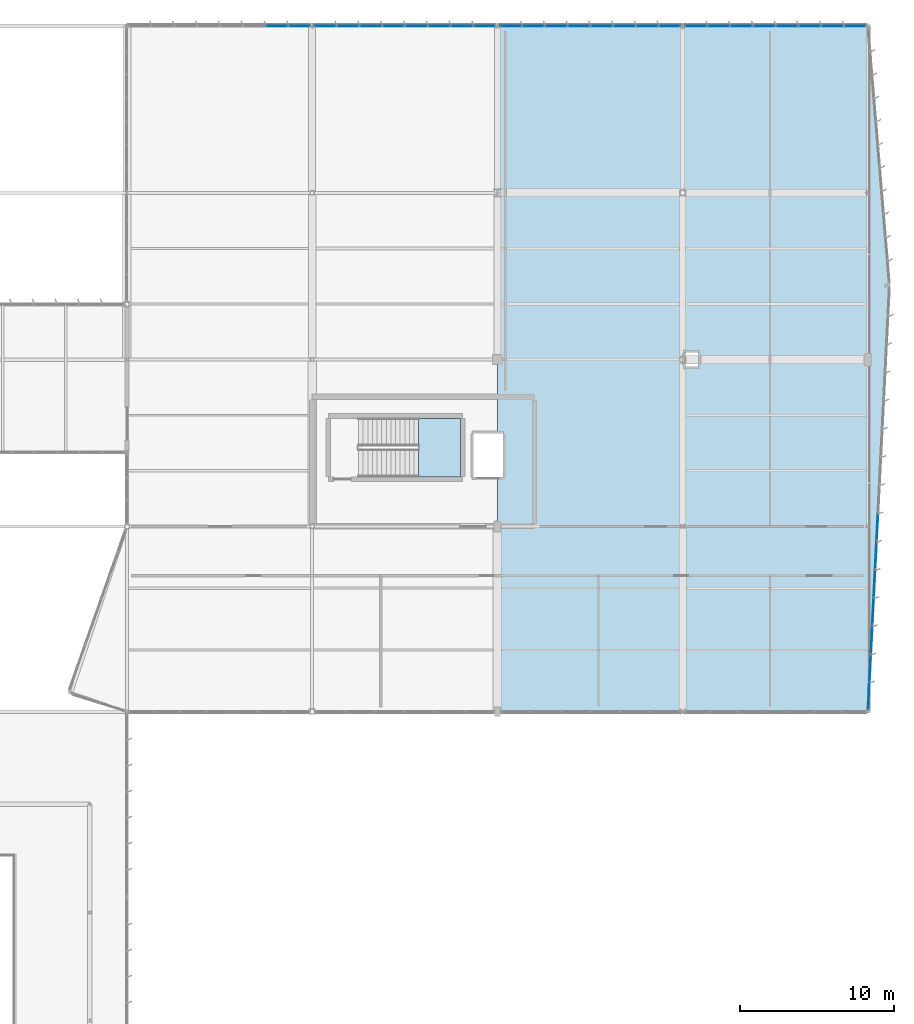
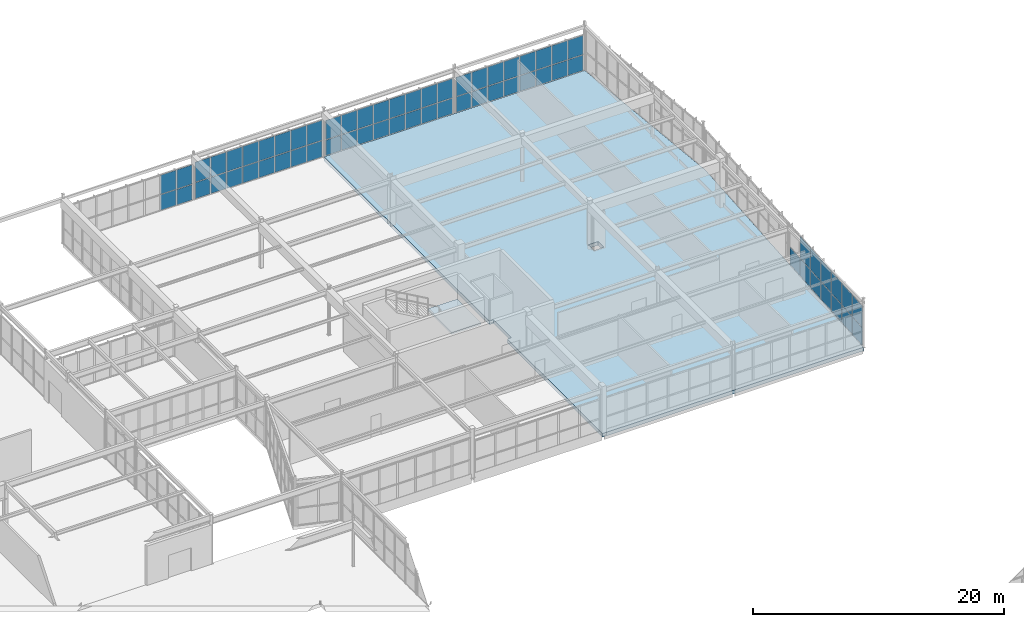
# One storey, part 127 of 186: 65 plates, 2 slabs, 6 elements without a shape of their own.
"""IFC4 building model written with IfcOpenShell, lengths in metres."""

from ifc_helpers import new_model, si_unit, direction, frame, origin, origin_2d, place, context, subcontext, project, spatial, polyline, rectangle, outline, extrude, material, layer, layer_set, type_object, element, aggregate, save


model = new_model("IFC4")

# Units and contexts
model_context = context("Model", 3, precision=1e-05, world=origin(), true_north=direction((0.0, 1.0)))
body_context = subcontext(model_context, "Body", "Model", "MODEL_VIEW")
ifc_project = project(units=[si_unit("LENGTHUNIT", "METRE"), si_unit("AREAUNIT", "SQUARE_METRE"), si_unit("VOLUMEUNIT", "CUBIC_METRE"), si_unit("PLANEANGLEUNIT", "RADIAN"), si_unit("MASSUNIT", "GRAM", prefix="KILO")], contexts=[model_context])

# Site, building, storey
site_placement = place(None, origin())
site = spatial("IfcSite", under=ifc_project, at=site_placement, CompositionType="ELEMENT")
building_placement = place(site_placement, origin())
building = spatial("IfcBuilding", under=site, at=building_placement, Name="Tarnwether General Hospital", CompositionType="ELEMENT")
storey_placement = place(building_placement, frame((0.0, 0.0, 9.60009765625)))
storey = spatial("IfcBuildingStorey", under=building, at=storey_placement, Name="L02", CompositionType="ELEMENT", Elevation=9.60009765625)

# Curtain wall, plates
ifc_material_1 = material(Name="Anodised aluminium", Category="aluminium")
ifc_layer_1 = layer(ifc_material_1, 0.159912109375)
ifc_layer_set_1 = layer_set([ifc_layer_1], Name="Anodised aluminium")
curtain_wall_type_1 = type_object("IfcCurtainWallType", Name="CW-16", PredefinedType="NOTDEFINED", material=ifc_layer_set_1)
curtain_wall_1_placement = place(storey_placement, origin())
curtain_wall_1 = element("IfcCurtainWall", 1, at=curtain_wall_1_placement, inside=storey, type_object=curtain_wall_type_1, Name="Curtain Wall CWG-L02-1441_1260-0462", PredefinedType="NOTDEFINED")
ifc_material_2 = material(Name="Double glazed low-E glass", Category="glass")
ifc_layer_2 = layer(ifc_material_2, 0.028076171875)
ifc_layer_set_2 = layer_set([ifc_layer_2], Name="Double glazed low-E glass")
plate_type = type_object("IfcPlateType", Name="PT-CWP1", PredefinedType="CURTAIN_PANEL", material=ifc_layer_set_2)
plate_1_placement = place(storey_placement, frame((153.69482421875, 126.0, 0.059814453125), z_axis=(0.0, 0.0, 1.0), x_axis=(1.0, 0.0, 0.0)))
plate_1 = element("IfcPlate", 2, at=plate_1_placement, type_object=plate_type, Name="CW-16 panel 7.1", PredefinedType="CURTAIN_PANEL", context=body_context, shape_type="SweptSolid", body=[
    extrude(rectangle(XDim=1.418701171875, YDim=0.028076171875, at=origin_2d()), origin(), (0.0, 0.0, 1.0), 1.49853515625),
])
plate_2_placement = place(storey_placement, frame((153.69482421875, 126.0, 1.618408203125), z_axis=(0.0, 0.0, 1.0), x_axis=(1.0, 0.0, 0.0)))
plate_2 = element("IfcPlate", 3, at=plate_2_placement, type_object=plate_type, Name="CW-16 panel 7.2", PredefinedType="CURTAIN_PANEL", context=body_context, shape_type="SweptSolid", body=[
    extrude(rectangle(XDim=1.418701171875, YDim=0.028076171875, at=origin_2d()), origin(), (0.0, 0.0, 1.0), 1.8515625),
])
plate_3_placement = place(storey_placement, frame((155.15869140625, 126.0, 0.059814453125), z_axis=(0.0, 0.0, 1.0), x_axis=(1.0, 0.0, 0.0)))
plate_3 = element("IfcPlate", 4, at=plate_3_placement, type_object=plate_type, Name="CW-16 panel 8.1", PredefinedType="CURTAIN_PANEL", context=body_context, shape_type="SweptSolid", body=[
    extrude(rectangle(XDim=1.388671875, YDim=0.028076171875, at=origin_2d()), origin(), (0.0, 0.0, 1.0), 1.49853515625),
])
plate_4_placement = place(storey_placement, frame((155.15869140625, 126.0, 1.618408203125), z_axis=(0.0, 0.0, 1.0), x_axis=(1.0, 0.0, 0.0)))
plate_4 = element("IfcPlate", 5, at=plate_4_placement, type_object=plate_type, Name="CW-16 panel 8.2", PredefinedType="CURTAIN_PANEL", context=body_context, shape_type="SweptSolid", body=[
    extrude(rectangle(XDim=1.388671875, YDim=0.028076171875, at=origin_2d()), origin(), (0.0, 0.0, 1.0), 1.8515625),
])
aggregate(curtain_wall_1, [plate_1, plate_2, plate_3, plate_4])

curtain_wall_2_placement = place(storey_placement, origin())
curtain_wall_2 = element("IfcCurtainWall", 6, at=curtain_wall_2_placement, inside=storey, type_object=curtain_wall_type_1, Name="Curtain Wall CWG-L02-1561_1260-0463", PredefinedType="NOTDEFINED")
plate_5_placement = place(storey_placement, frame((156.840087890625, 126.0, 0.06005859375), z_axis=(0.0, 0.0, 1.0), x_axis=(1.0, 0.0, 0.0)))
plate_5 = element("IfcPlate", 7, at=plate_5_placement, type_object=plate_type, Name="CW-16 panel 1.1", PredefinedType="CURTAIN_PANEL", context=body_context, shape_type="SweptSolid", body=[
    extrude(rectangle(XDim=1.385986328125, YDim=0.028076171875, at=origin_2d()), origin(), (0.0, 0.0, 1.0), 1.56591796875),
])
plate_6_placement = place(storey_placement, frame((156.840087890625, 126.0, 1.685791015625), z_axis=(0.0, 0.0, 1.0), x_axis=(1.0, 0.0, 0.0)))
plate_6 = element("IfcPlate", 8, at=plate_6_placement, type_object=plate_type, Name="CW-16 panel 1.2", PredefinedType="CURTAIN_PANEL", context=body_context, shape_type="SweptSolid", body=[
    extrude(rectangle(XDim=1.385986328125, YDim=0.028076171875, at=origin_2d()), origin(), (0.0, 0.0, 1.0), 1.93408203125),
])
plate_7_placement = place(storey_placement, frame((158.301025390625, 126.0, 0.06005859375), z_axis=(0.0, 0.0, 1.0), x_axis=(1.0, 0.0, 0.0)))
plate_7 = element("IfcPlate", 9, at=plate_7_placement, type_object=plate_type, Name="CW-16 panel 2.1", PredefinedType="CURTAIN_PANEL", context=body_context, shape_type="SweptSolid", body=[
    extrude(rectangle(XDim=1.416015625, YDim=0.028076171875, at=origin_2d()), origin(), (0.0, 0.0, 1.0), 1.56591796875),
])
plate_8_placement = place(storey_placement, frame((158.301025390625, 126.0, 1.685791015625), z_axis=(0.0, 0.0, 1.0), x_axis=(1.0, 0.0, 0.0)))
plate_8 = element("IfcPlate", 10, at=plate_8_placement, type_object=plate_type, Name="CW-16 panel 2.2", PredefinedType="CURTAIN_PANEL", context=body_context, shape_type="SweptSolid", body=[
    extrude(rectangle(XDim=1.416015625, YDim=0.028076171875, at=origin_2d()), origin(), (0.0, 0.0, 1.0), 1.93408203125),
])
plate_9_placement = place(storey_placement, frame((159.777099609375, 126.0, 0.06005859375), z_axis=(0.0, 0.0, 1.0), x_axis=(1.0, 0.0, 0.0)))
plate_9 = element("IfcPlate", 11, at=plate_9_placement, type_object=plate_type, Name="CW-16 panel 3.1", PredefinedType="CURTAIN_PANEL", context=body_context, shape_type="SweptSolid", body=[
    extrude(rectangle(XDim=1.416015625, YDim=0.028076171875, at=origin_2d()), origin(), (0.0, 0.0, 1.0), 1.56591796875),
])
plate_10_placement = place(storey_placement, frame((159.777099609375, 126.0, 1.685791015625), z_axis=(0.0, 0.0, 1.0), x_axis=(1.0, 0.0, 0.0)))
plate_10 = element("IfcPlate", 12, at=plate_10_placement, type_object=plate_type, Name="CW-16 panel 3.2", PredefinedType="CURTAIN_PANEL", context=body_context, shape_type="SweptSolid", body=[
    extrude(rectangle(XDim=1.416015625, YDim=0.028076171875, at=origin_2d()), origin(), (0.0, 0.0, 1.0), 1.93408203125),
])
plate_11_placement = place(storey_placement, frame((161.2529296875, 126.0, 0.06005859375), z_axis=(0.0, 0.0, 1.0), x_axis=(1.0, 0.0, 0.0)))
plate_11 = element("IfcPlate", 13, at=plate_11_placement, type_object=plate_type, Name="CW-16 panel 4.1", PredefinedType="CURTAIN_PANEL", context=body_context, shape_type="SweptSolid", body=[
    extrude(rectangle(XDim=1.416015625, YDim=0.028076171875, at=origin_2d()), origin(), (0.0, 0.0, 1.0), 1.56591796875),
])
plate_12_placement = place(storey_placement, frame((161.2529296875, 126.0, 1.685791015625), z_axis=(0.0, 0.0, 1.0), x_axis=(1.0, 0.0, 0.0)))
plate_12 = element("IfcPlate", 14, at=plate_12_placement, type_object=plate_type, Name="CW-16 panel 4.2", PredefinedType="CURTAIN_PANEL", context=body_context, shape_type="SweptSolid", body=[
    extrude(rectangle(XDim=1.416015625, YDim=0.028076171875, at=origin_2d()), origin(), (0.0, 0.0, 1.0), 1.93408203125),
])
plate_13_placement = place(storey_placement, frame((162.72900390625, 126.0, 0.06005859375), z_axis=(0.0, 0.0, 1.0), x_axis=(1.0, 0.0, 0.0)))
plate_13 = element("IfcPlate", 15, at=plate_13_placement, type_object=plate_type, Name="CW-16 panel 5.1", PredefinedType="CURTAIN_PANEL", context=body_context, shape_type="SweptSolid", body=[
    extrude(rectangle(XDim=1.416015625, YDim=0.028076171875, at=origin_2d()), origin(), (0.0, 0.0, 1.0), 1.56591796875),
])
plate_14_placement = place(storey_placement, frame((162.72900390625, 126.0, 1.685791015625), z_axis=(0.0, 0.0, 1.0), x_axis=(1.0, 0.0, 0.0)))
plate_14 = element("IfcPlate", 16, at=plate_14_placement, type_object=plate_type, Name="CW-16 panel 5.2", PredefinedType="CURTAIN_PANEL", context=body_context, shape_type="SweptSolid", body=[
    extrude(rectangle(XDim=1.416015625, YDim=0.028076171875, at=origin_2d()), origin(), (0.0, 0.0, 1.0), 1.93408203125),
])
plate_15_placement = place(storey_placement, frame((164.205078125, 126.0, 0.06005859375), z_axis=(0.0, 0.0, 1.0), x_axis=(1.0, 0.0, 0.0)))
plate_15 = element("IfcPlate", 17, at=plate_15_placement, type_object=plate_type, Name="CW-16 panel 6.1", PredefinedType="CURTAIN_PANEL", context=body_context, shape_type="SweptSolid", body=[
    extrude(rectangle(XDim=1.416015625, YDim=0.028076171875, at=origin_2d()), origin(), (0.0, 0.0, 1.0), 1.56591796875),
])
plate_16_placement = place(storey_placement, frame((164.205078125, 126.0, 1.685791015625), z_axis=(0.0, 0.0, 1.0), x_axis=(1.0, 0.0, 0.0)))
plate_16 = element("IfcPlate", 18, at=plate_16_placement, type_object=plate_type, Name="CW-16 panel 6.2", PredefinedType="CURTAIN_PANEL", context=body_context, shape_type="SweptSolid", body=[
    extrude(rectangle(XDim=1.416015625, YDim=0.028076171875, at=origin_2d()), origin(), (0.0, 0.0, 1.0), 1.93408203125),
])
plate_17_placement = place(storey_placement, frame((165.680908203125, 126.0, 0.06005859375), z_axis=(0.0, 0.0, 1.0), x_axis=(1.0, 0.0, 0.0)))
plate_17 = element("IfcPlate", 19, at=plate_17_placement, type_object=plate_type, Name="CW-16 panel 7.1", PredefinedType="CURTAIN_PANEL", context=body_context, shape_type="SweptSolid", body=[
    extrude(rectangle(XDim=1.416015625, YDim=0.028076171875, at=origin_2d()), origin(), (0.0, 0.0, 1.0), 1.56591796875),
])
plate_18_placement = place(storey_placement, frame((165.680908203125, 126.0, 1.685791015625), z_axis=(0.0, 0.0, 1.0), x_axis=(1.0, 0.0, 0.0)))
plate_18 = element("IfcPlate", 20, at=plate_18_placement, type_object=plate_type, Name="CW-16 panel 7.2", PredefinedType="CURTAIN_PANEL", context=body_context, shape_type="SweptSolid", body=[
    extrude(rectangle(XDim=1.416015625, YDim=0.028076171875, at=origin_2d()), origin(), (0.0, 0.0, 1.0), 1.93408203125),
])
plate_19_placement = place(storey_placement, frame((167.14208984375, 126.0, 0.06005859375), z_axis=(0.0, 0.0, 1.0), x_axis=(1.0, 0.0, 0.0)))
plate_19 = element("IfcPlate", 21, at=plate_19_placement, type_object=plate_type, Name="CW-16 panel 8.1", PredefinedType="CURTAIN_PANEL", context=body_context, shape_type="SweptSolid", body=[
    extrude(rectangle(XDim=1.385986328125, YDim=0.028076171875, at=origin_2d()), origin(), (0.0, 0.0, 1.0), 1.56591796875),
])
plate_20_placement = place(storey_placement, frame((167.14208984375, 126.0, 1.685791015625), z_axis=(0.0, 0.0, 1.0), x_axis=(1.0, 0.0, 0.0)))
plate_20 = element("IfcPlate", 22, at=plate_20_placement, type_object=plate_type, Name="CW-16 panel 8.2", PredefinedType="CURTAIN_PANEL", context=body_context, shape_type="SweptSolid", body=[
    extrude(rectangle(XDim=1.385986328125, YDim=0.028076171875, at=origin_2d()), origin(), (0.0, 0.0, 1.0), 1.93408203125),
])
aggregate(curtain_wall_2, [plate_5, plate_6, plate_7, plate_8, plate_9, plate_10, plate_11, plate_12, plate_13, plate_14, plate_15, plate_16, plate_17, plate_18, plate_19, plate_20])

curtain_wall_3_placement = place(storey_placement, origin())
curtain_wall_3 = element("IfcCurtainWall", 23, at=curtain_wall_3_placement, inside=storey, type_object=curtain_wall_type_1, Name="Curtain Wall CWG-L02-1681_1260-0464", PredefinedType="NOTDEFINED")
plate_21_placement = place(storey_placement, frame((168.856689453125, 126.0, 0.06005859375), z_axis=(0.0, 0.0, 1.0), x_axis=(1.0, 0.0, 0.0)))
plate_21 = element("IfcPlate", 24, at=plate_21_placement, type_object=plate_type, Name="CW-16 panel 1.1", PredefinedType="CURTAIN_PANEL", context=body_context, shape_type="SweptSolid", body=[
    extrude(rectangle(XDim=1.38330078125, YDim=0.028076171875, at=origin_2d()), origin(), (0.0, 0.0, 1.0), 1.49609375),
])
plate_22_placement = place(storey_placement, frame((168.856689453125, 126.0, 1.6162109375), z_axis=(0.0, 0.0, 1.0), x_axis=(1.0, 0.0, 0.0)))
plate_22 = element("IfcPlate", 25, at=plate_22_placement, type_object=plate_type, Name="CW-16 panel 1.2", PredefinedType="CURTAIN_PANEL", context=body_context, shape_type="SweptSolid", body=[
    extrude(rectangle(XDim=1.38330078125, YDim=0.028076171875, at=origin_2d()), origin(), (0.0, 0.0, 1.0), 1.848876953125),
])
plate_23_placement = place(storey_placement, frame((170.31494140625, 126.0, 0.06005859375), z_axis=(0.0, 0.0, 1.0), x_axis=(1.0, 0.0, 0.0)))
plate_23 = element("IfcPlate", 26, at=plate_23_placement, type_object=plate_type, Name="CW-16 panel 2.1", PredefinedType="CURTAIN_PANEL", context=body_context, shape_type="SweptSolid", body=[
    extrude(rectangle(XDim=1.413330078125, YDim=0.028076171875, at=origin_2d()), origin(), (0.0, 0.0, 1.0), 1.49609375),
])
plate_24_placement = place(storey_placement, frame((170.31494140625, 126.0, 1.6162109375), z_axis=(0.0, 0.0, 1.0), x_axis=(1.0, 0.0, 0.0)))
plate_24 = element("IfcPlate", 27, at=plate_24_placement, type_object=plate_type, Name="CW-16 panel 2.2", PredefinedType="CURTAIN_PANEL", context=body_context, shape_type="SweptSolid", body=[
    extrude(rectangle(XDim=1.413330078125, YDim=0.028076171875, at=origin_2d()), origin(), (0.0, 0.0, 1.0), 1.848876953125),
])
plate_25_placement = place(storey_placement, frame((171.7880859375, 126.0, 0.06005859375), z_axis=(0.0, 0.0, 1.0), x_axis=(1.0, 0.0, 0.0)))
plate_25 = element("IfcPlate", 28, at=plate_25_placement, type_object=plate_type, Name="CW-16 panel 3.1", PredefinedType="CURTAIN_PANEL", context=body_context, shape_type="SweptSolid", body=[
    extrude(rectangle(XDim=1.413330078125, YDim=0.028076171875, at=origin_2d()), origin(), (0.0, 0.0, 1.0), 1.49609375),
])
plate_26_placement = place(storey_placement, frame((171.7880859375, 126.0, 1.6162109375), z_axis=(0.0, 0.0, 1.0), x_axis=(1.0, 0.0, 0.0)))
plate_26 = element("IfcPlate", 29, at=plate_26_placement, type_object=plate_type, Name="CW-16 panel 3.2", PredefinedType="CURTAIN_PANEL", context=body_context, shape_type="SweptSolid", body=[
    extrude(rectangle(XDim=1.413330078125, YDim=0.028076171875, at=origin_2d()), origin(), (0.0, 0.0, 1.0), 1.848876953125),
])
plate_27_placement = place(storey_placement, frame((173.261474609375, 126.0, 0.06005859375), z_axis=(0.0, 0.0, 1.0), x_axis=(1.0, 0.0, 0.0)))
plate_27 = element("IfcPlate", 30, at=plate_27_placement, type_object=plate_type, Name="CW-16 panel 4.1", PredefinedType="CURTAIN_PANEL", context=body_context, shape_type="SweptSolid", body=[
    extrude(rectangle(XDim=1.413330078125, YDim=0.028076171875, at=origin_2d()), origin(), (0.0, 0.0, 1.0), 1.49609375),
])
plate_28_placement = place(storey_placement, frame((173.261474609375, 126.0, 1.6162109375), z_axis=(0.0, 0.0, 1.0), x_axis=(1.0, 0.0, 0.0)))
plate_28 = element("IfcPlate", 31, at=plate_28_placement, type_object=plate_type, Name="CW-16 panel 4.2", PredefinedType="CURTAIN_PANEL", context=body_context, shape_type="SweptSolid", body=[
    extrude(rectangle(XDim=1.413330078125, YDim=0.028076171875, at=origin_2d()), origin(), (0.0, 0.0, 1.0), 1.848876953125),
])
plate_29_placement = place(storey_placement, frame((174.734619140625, 126.0, 0.06005859375), z_axis=(0.0, 0.0, 1.0), x_axis=(1.0, 0.0, 0.0)))
plate_29 = element("IfcPlate", 32, at=plate_29_placement, type_object=plate_type, Name="CW-16 panel 5.1", PredefinedType="CURTAIN_PANEL", context=body_context, shape_type="SweptSolid", body=[
    extrude(rectangle(XDim=1.413330078125, YDim=0.028076171875, at=origin_2d()), origin(), (0.0, 0.0, 1.0), 1.49609375),
])
plate_30_placement = place(storey_placement, frame((174.734619140625, 126.0, 1.6162109375), z_axis=(0.0, 0.0, 1.0), x_axis=(1.0, 0.0, 0.0)))
plate_30 = element("IfcPlate", 33, at=plate_30_placement, type_object=plate_type, Name="CW-16 panel 5.2", PredefinedType="CURTAIN_PANEL", context=body_context, shape_type="SweptSolid", body=[
    extrude(rectangle(XDim=1.413330078125, YDim=0.028076171875, at=origin_2d()), origin(), (0.0, 0.0, 1.0), 1.848876953125),
])
plate_31_placement = place(storey_placement, frame((176.207763671875, 126.0, 0.06005859375), z_axis=(0.0, 0.0, 1.0), x_axis=(1.0, 0.0, 0.0)))
plate_31 = element("IfcPlate", 34, at=plate_31_placement, type_object=plate_type, Name="CW-16 panel 6.1", PredefinedType="CURTAIN_PANEL", context=body_context, shape_type="SweptSolid", body=[
    extrude(rectangle(XDim=1.413330078125, YDim=0.028076171875, at=origin_2d()), origin(), (0.0, 0.0, 1.0), 1.49609375),
])
plate_32_placement = place(storey_placement, frame((176.207763671875, 126.0, 1.6162109375), z_axis=(0.0, 0.0, 1.0), x_axis=(1.0, 0.0, 0.0)))
plate_32 = element("IfcPlate", 35, at=plate_32_placement, type_object=plate_type, Name="CW-16 panel 6.2", PredefinedType="CURTAIN_PANEL", context=body_context, shape_type="SweptSolid", body=[
    extrude(rectangle(XDim=1.413330078125, YDim=0.028076171875, at=origin_2d()), origin(), (0.0, 0.0, 1.0), 1.848876953125),
])
plate_33_placement = place(storey_placement, frame((177.68115234375, 126.0, 0.06005859375), z_axis=(0.0, 0.0, 1.0), x_axis=(1.0, 0.0, 0.0)))
plate_33 = element("IfcPlate", 36, at=plate_33_placement, type_object=plate_type, Name="CW-16 panel 7.1", PredefinedType="CURTAIN_PANEL", context=body_context, shape_type="SweptSolid", body=[
    extrude(rectangle(XDim=1.413330078125, YDim=0.028076171875, at=origin_2d()), origin(), (0.0, 0.0, 1.0), 1.49609375),
])
plate_34_placement = place(storey_placement, frame((177.68115234375, 126.0, 1.6162109375), z_axis=(0.0, 0.0, 1.0), x_axis=(1.0, 0.0, 0.0)))
plate_34 = element("IfcPlate", 37, at=plate_34_placement, type_object=plate_type, Name="CW-16 panel 7.2", PredefinedType="CURTAIN_PANEL", context=body_context, shape_type="SweptSolid", body=[
    extrude(rectangle(XDim=1.413330078125, YDim=0.028076171875, at=origin_2d()), origin(), (0.0, 0.0, 1.0), 1.848876953125),
])
plate_35_placement = place(storey_placement, frame((179.139404296875, 126.0, 0.06005859375), z_axis=(0.0, 0.0, 1.0), x_axis=(1.0, 0.0, 0.0)))
plate_35 = element("IfcPlate", 38, at=plate_35_placement, type_object=plate_type, Name="CW-16 panel 8.1", PredefinedType="CURTAIN_PANEL", context=body_context, shape_type="SweptSolid", body=[
    extrude(rectangle(XDim=1.38330078125, YDim=0.028076171875, at=origin_2d()), origin(), (0.0, 0.0, 1.0), 1.49609375),
])
plate_36_placement = place(storey_placement, frame((179.139404296875, 126.0, 1.6162109375), z_axis=(0.0, 0.0, 1.0), x_axis=(1.0, 0.0, 0.0)))
plate_36 = element("IfcPlate", 39, at=plate_36_placement, type_object=plate_type, Name="CW-16 panel 8.2", PredefinedType="CURTAIN_PANEL", context=body_context, shape_type="SweptSolid", body=[
    extrude(rectangle(XDim=1.38330078125, YDim=0.028076171875, at=origin_2d()), origin(), (0.0, 0.0, 1.0), 1.848876953125),
])
aggregate(curtain_wall_3, [plate_21, plate_22, plate_23, plate_24, plate_25, plate_26, plate_27, plate_28, plate_29, plate_30, plate_31, plate_32, plate_33, plate_34, plate_35, plate_36])

curtain_wall_4_placement = place(storey_placement, origin())
curtain_wall_4 = element("IfcCurtainWall", 40, at=curtain_wall_4_placement, inside=storey, type_object=curtain_wall_type_1, Name="Curtain Wall CWG-L02-1801_1260-0465", PredefinedType="NOTDEFINED")
plate_37_placement = place(storey_placement, frame((180.8603515625, 126.0, 0.06005859375), z_axis=(0.0, 0.0, 1.0), x_axis=(1.0, 0.0, 0.0)))
plate_37 = element("IfcPlate", 41, at=plate_37_placement, type_object=plate_type, Name="CW-16 panel 1.1", PredefinedType="CURTAIN_PANEL", context=body_context, shape_type="SweptSolid", body=[
    extrude(rectangle(XDim=1.382568359375, YDim=0.028076171875, at=origin_2d()), origin(), (0.0, 0.0, 1.0), 1.49609375),
])
plate_38_placement = place(storey_placement, frame((180.8603515625, 126.0, 1.6162109375), z_axis=(0.0, 0.0, 1.0), x_axis=(1.0, 0.0, 0.0)))
plate_38 = element("IfcPlate", 42, at=plate_38_placement, type_object=plate_type, Name="CW-16 panel 1.2", PredefinedType="CURTAIN_PANEL", context=body_context, shape_type="SweptSolid", body=[
    extrude(rectangle(XDim=1.382568359375, YDim=0.028076171875, at=origin_2d()), origin(), (0.0, 0.0, 1.0), 1.848876953125),
])
plate_39_placement = place(storey_placement, frame((182.31787109375, 126.0, 0.06005859375), z_axis=(0.0, 0.0, 1.0), x_axis=(1.0, 0.0, 0.0)))
plate_39 = element("IfcPlate", 43, at=plate_39_placement, type_object=plate_type, Name="CW-16 panel 2.1", PredefinedType="CURTAIN_PANEL", context=body_context, shape_type="SweptSolid", body=[
    extrude(rectangle(XDim=1.41259765625, YDim=0.028076171875, at=origin_2d()), origin(), (0.0, 0.0, 1.0), 1.49609375),
])
plate_40_placement = place(storey_placement, frame((182.31787109375, 126.0, 1.6162109375), z_axis=(0.0, 0.0, 1.0), x_axis=(1.0, 0.0, 0.0)))
plate_40 = element("IfcPlate", 44, at=plate_40_placement, type_object=plate_type, Name="CW-16 panel 2.2", PredefinedType="CURTAIN_PANEL", context=body_context, shape_type="SweptSolid", body=[
    extrude(rectangle(XDim=1.41259765625, YDim=0.028076171875, at=origin_2d()), origin(), (0.0, 0.0, 1.0), 1.848876953125),
])
plate_41_placement = place(storey_placement, frame((183.790283203125, 126.0, 0.06005859375), z_axis=(0.0, 0.0, 1.0), x_axis=(1.0, 0.0, 0.0)))
plate_41 = element("IfcPlate", 45, at=plate_41_placement, type_object=plate_type, Name="CW-16 panel 3.1", PredefinedType="CURTAIN_PANEL", context=body_context, shape_type="SweptSolid", body=[
    extrude(rectangle(XDim=1.41259765625, YDim=0.028076171875, at=origin_2d()), origin(), (0.0, 0.0, 1.0), 1.49609375),
])
plate_42_placement = place(storey_placement, frame((183.790283203125, 126.0, 1.6162109375), z_axis=(0.0, 0.0, 1.0), x_axis=(1.0, 0.0, 0.0)))
plate_42 = element("IfcPlate", 46, at=plate_42_placement, type_object=plate_type, Name="CW-16 panel 3.2", PredefinedType="CURTAIN_PANEL", context=body_context, shape_type="SweptSolid", body=[
    extrude(rectangle(XDim=1.41259765625, YDim=0.028076171875, at=origin_2d()), origin(), (0.0, 0.0, 1.0), 1.848876953125),
])
plate_43_placement = place(storey_placement, frame((185.2626953125, 126.0, 0.06005859375), z_axis=(0.0, 0.0, 1.0), x_axis=(1.0, 0.0, 0.0)))
plate_43 = element("IfcPlate", 47, at=plate_43_placement, type_object=plate_type, Name="CW-16 panel 4.1", PredefinedType="CURTAIN_PANEL", context=body_context, shape_type="SweptSolid", body=[
    extrude(rectangle(XDim=1.41259765625, YDim=0.028076171875, at=origin_2d()), origin(), (0.0, 0.0, 1.0), 1.49609375),
])
plate_44_placement = place(storey_placement, frame((185.2626953125, 126.0, 1.6162109375), z_axis=(0.0, 0.0, 1.0), x_axis=(1.0, 0.0, 0.0)))
plate_44 = element("IfcPlate", 48, at=plate_44_placement, type_object=plate_type, Name="CW-16 panel 4.2", PredefinedType="CURTAIN_PANEL", context=body_context, shape_type="SweptSolid", body=[
    extrude(rectangle(XDim=1.41259765625, YDim=0.028076171875, at=origin_2d()), origin(), (0.0, 0.0, 1.0), 1.848876953125),
])
plate_45_placement = place(storey_placement, frame((186.7353515625, 126.0, 0.06005859375), z_axis=(0.0, 0.0, 1.0), x_axis=(1.0, 0.0, 0.0)))
plate_45 = element("IfcPlate", 49, at=plate_45_placement, type_object=plate_type, Name="CW-16 panel 5.1", PredefinedType="CURTAIN_PANEL", context=body_context, shape_type="SweptSolid", body=[
    extrude(rectangle(XDim=1.41259765625, YDim=0.028076171875, at=origin_2d()), origin(), (0.0, 0.0, 1.0), 1.49609375),
])
plate_46_placement = place(storey_placement, frame((186.7353515625, 126.0, 1.6162109375), z_axis=(0.0, 0.0, 1.0), x_axis=(1.0, 0.0, 0.0)))
plate_46 = element("IfcPlate", 50, at=plate_46_placement, type_object=plate_type, Name="CW-16 panel 5.2", PredefinedType="CURTAIN_PANEL", context=body_context, shape_type="SweptSolid", body=[
    extrude(rectangle(XDim=1.41259765625, YDim=0.028076171875, at=origin_2d()), origin(), (0.0, 0.0, 1.0), 1.848876953125),
])
plate_47_placement = place(storey_placement, frame((188.207763671875, 126.0, 0.06005859375), z_axis=(0.0, 0.0, 1.0), x_axis=(1.0, 0.0, 0.0)))
plate_47 = element("IfcPlate", 51, at=plate_47_placement, type_object=plate_type, Name="CW-16 panel 6.1", PredefinedType="CURTAIN_PANEL", context=body_context, shape_type="SweptSolid", body=[
    extrude(rectangle(XDim=1.41259765625, YDim=0.028076171875, at=origin_2d()), origin(), (0.0, 0.0, 1.0), 1.49609375),
])
plate_48_placement = place(storey_placement, frame((188.207763671875, 126.0, 1.6162109375), z_axis=(0.0, 0.0, 1.0), x_axis=(1.0, 0.0, 0.0)))
plate_48 = element("IfcPlate", 52, at=plate_48_placement, type_object=plate_type, Name="CW-16 panel 6.2", PredefinedType="CURTAIN_PANEL", context=body_context, shape_type="SweptSolid", body=[
    extrude(rectangle(XDim=1.41259765625, YDim=0.028076171875, at=origin_2d()), origin(), (0.0, 0.0, 1.0), 1.848876953125),
])
plate_49_placement = place(storey_placement, frame((189.68017578125, 126.0, 0.06005859375), z_axis=(0.0, 0.0, 1.0), x_axis=(1.0, 0.0, 0.0)))
plate_49 = element("IfcPlate", 53, at=plate_49_placement, type_object=plate_type, Name="CW-16 panel 7.1", PredefinedType="CURTAIN_PANEL", context=body_context, shape_type="SweptSolid", body=[
    extrude(rectangle(XDim=1.41259765625, YDim=0.028076171875, at=origin_2d()), origin(), (0.0, 0.0, 1.0), 1.49609375),
])
plate_50_placement = place(storey_placement, frame((189.68017578125, 126.0, 1.6162109375), z_axis=(0.0, 0.0, 1.0), x_axis=(1.0, 0.0, 0.0)))
plate_50 = element("IfcPlate", 54, at=plate_50_placement, type_object=plate_type, Name="CW-16 panel 7.2", PredefinedType="CURTAIN_PANEL", context=body_context, shape_type="SweptSolid", body=[
    extrude(rectangle(XDim=1.41259765625, YDim=0.028076171875, at=origin_2d()), origin(), (0.0, 0.0, 1.0), 1.848876953125),
])
plate_51_placement = place(storey_placement, frame((191.1376953125, 126.0, 0.06005859375), z_axis=(0.0, 0.0, 1.0), x_axis=(1.0, 0.0, 0.0)))
plate_51 = element("IfcPlate", 55, at=plate_51_placement, type_object=plate_type, Name="CW-16 panel 8.1", PredefinedType="CURTAIN_PANEL", context=body_context, shape_type="SweptSolid", body=[
    extrude(rectangle(XDim=1.382568359375, YDim=0.028076171875, at=origin_2d()), origin(), (0.0, 0.0, 1.0), 1.49609375),
])
plate_52_placement = place(storey_placement, frame((191.1376953125, 126.0, 1.6162109375), z_axis=(0.0, 0.0, 1.0), x_axis=(1.0, 0.0, 0.0)))
plate_52 = element("IfcPlate", 56, at=plate_52_placement, type_object=plate_type, Name="CW-16 panel 8.2", PredefinedType="CURTAIN_PANEL", context=body_context, shape_type="SweptSolid", body=[
    extrude(rectangle(XDim=1.382568359375, YDim=0.028076171875, at=origin_2d()), origin(), (0.0, 0.0, 1.0), 1.848876953125),
])
aggregate(curtain_wall_4, [plate_37, plate_38, plate_39, plate_40, plate_41, plate_42, plate_43, plate_44, plate_45, plate_46, plate_47, plate_48, plate_49, plate_50, plate_51, plate_52])

ifc_material_3 = material(Name="Anodised aluminium", Category="aluminium")
ifc_layer_3 = layer(ifc_material_3, 0.159912109375)
ifc_layer_set_3 = layer_set([ifc_layer_3], Name="Anodised aluminium")
curtain_wall_type_2 = type_object("IfcCurtainWallType", Name="CW-17", PredefinedType="NOTDEFINED", material=ifc_layer_set_3)
curtain_wall_5_placement = place(storey_placement, origin())
curtain_wall_5 = element("IfcCurtainWall", 57, at=curtain_wall_5_placement, inside=storey, type_object=curtain_wall_type_2, Name="Curtain Wall CWG-L02-1934_1091-0471", PredefinedType="NOTDEFINED")
plate_53_placement = place(storey_placement, frame((192.6064453125, 93.557373046875, 0.06005859375), z_axis=(0.0, 0.0, 1.0), x_axis=(-0.050677688973, -0.998715060385, 0.0)))
plate_53 = element("IfcPlate", 58, at=plate_53_placement, type_object=plate_type, Name="CW-17 panel 9.1", PredefinedType="CURTAIN_PANEL", context=body_context, shape_type="SweptSolid", body=[
    extrude(rectangle(XDim=1.7685546875, YDim=0.028076171875, at=origin_2d()), origin(), (0.0, 0.0, 1.0), 1.695556640625),
])
plate_54_placement = place(storey_placement, frame((192.513671875, 91.731201171875, 0.06005859375), z_axis=(0.0, 0.0, 1.0), x_axis=(-0.050677688973, -0.998715060385, 0.0)))
plate_54 = element("IfcPlate", 59, at=plate_54_placement, type_object=plate_type, Name="CW-17 panel 10.1", PredefinedType="CURTAIN_PANEL", context=body_context, shape_type="SweptSolid", body=[
    extrude(rectangle(XDim=1.7685546875, YDim=0.028076171875, at=origin_2d()), origin(), (0.0, 0.0, 1.0), 1.695556640625),
])
plate_55_placement = place(storey_placement, frame((192.513671875, 91.731201171875, 1.815673828125), z_axis=(0.0, 0.0, 1.0), x_axis=(-0.050677688973, -0.998715060385, 0.0)))
plate_55 = element("IfcPlate", 60, at=plate_55_placement, type_object=plate_type, Name="CW-17 panel 10.2", PredefinedType="CURTAIN_PANEL", context=body_context, shape_type="SweptSolid", body=[
    extrude(rectangle(XDim=1.7685546875, YDim=0.028076171875, at=origin_2d()), origin(), (0.0, 0.0, 1.0), 2.09228515625),
])
plate_56_placement = place(storey_placement, frame((192.4208984375, 89.90478515625, 0.06005859375), z_axis=(0.0, 0.0, 1.0), x_axis=(-0.050677688973, -0.998715060385, 0.0)))
plate_56 = element("IfcPlate", 61, at=plate_56_placement, type_object=plate_type, Name="CW-17 panel 11.1", PredefinedType="CURTAIN_PANEL", context=body_context, shape_type="SweptSolid", body=[
    extrude(rectangle(XDim=1.7685546875, YDim=0.028076171875, at=origin_2d()), origin(), (0.0, 0.0, 1.0), 1.695556640625),
])
plate_57_placement = place(storey_placement, frame((192.4208984375, 89.90478515625, 1.815673828125), z_axis=(0.0, 0.0, 1.0), x_axis=(-0.050677688973, -0.998715060385, 0.0)))
plate_57 = element("IfcPlate", 62, at=plate_57_placement, type_object=plate_type, Name="CW-17 panel 11.2", PredefinedType="CURTAIN_PANEL", context=body_context, shape_type="SweptSolid", body=[
    extrude(rectangle(XDim=1.7685546875, YDim=0.028076171875, at=origin_2d()), origin(), (0.0, 0.0, 1.0), 2.09228515625),
])
plate_58_placement = place(storey_placement, frame((192.328369140625, 88.07861328125, 0.06005859375), z_axis=(0.0, 0.0, 1.0), x_axis=(-0.050677688973, -0.998715060385, 0.0)))
plate_58 = element("IfcPlate", 63, at=plate_58_placement, type_object=plate_type, Name="CW-17 panel 12.1", PredefinedType="CURTAIN_PANEL", context=body_context, shape_type="SweptSolid", body=[
    extrude(rectangle(XDim=1.7685546875, YDim=0.028076171875, at=origin_2d()), origin(), (0.0, 0.0, 1.0), 1.695556640625),
])
plate_59_placement = place(storey_placement, frame((192.328369140625, 88.07861328125, 1.815673828125), z_axis=(0.0, 0.0, 1.0), x_axis=(-0.050677688973, -0.998715060385, 0.0)))
plate_59 = element("IfcPlate", 64, at=plate_59_placement, type_object=plate_type, Name="CW-17 panel 12.2", PredefinedType="CURTAIN_PANEL", context=body_context, shape_type="SweptSolid", body=[
    extrude(rectangle(XDim=1.7685546875, YDim=0.028076171875, at=origin_2d()), origin(), (0.0, 0.0, 1.0), 2.09228515625),
])
plate_60_placement = place(storey_placement, frame((192.235595703125, 86.25244140625, 0.06005859375), z_axis=(0.0, 0.0, 1.0), x_axis=(-0.050677688973, -0.998715060385, 0.0)))
plate_60 = element("IfcPlate", 65, at=plate_60_placement, type_object=plate_type, Name="CW-17 panel 13.1", PredefinedType="CURTAIN_PANEL", context=body_context, shape_type="SweptSolid", body=[
    extrude(rectangle(XDim=1.7685546875, YDim=0.028076171875, at=origin_2d()), origin(), (0.0, 0.0, 1.0), 1.695556640625),
])
plate_61_placement = place(storey_placement, frame((192.235595703125, 86.25244140625, 1.815673828125), z_axis=(0.0, 0.0, 1.0), x_axis=(-0.050677688973, -0.998715060385, 0.0)))
plate_61 = element("IfcPlate", 66, at=plate_61_placement, type_object=plate_type, Name="CW-17 panel 13.2", PredefinedType="CURTAIN_PANEL", context=body_context, shape_type="SweptSolid", body=[
    extrude(rectangle(XDim=1.7685546875, YDim=0.028076171875, at=origin_2d()), origin(), (0.0, 0.0, 1.0), 2.09228515625),
])
plate_62_placement = place(storey_placement, frame((192.14306640625, 84.42626953125, 0.06005859375), z_axis=(0.0, 0.0, 1.0), x_axis=(-0.050677688973, -0.998715060385, 0.0)))
plate_62 = element("IfcPlate", 67, at=plate_62_placement, type_object=plate_type, Name="CW-17 panel 14.1", PredefinedType="CURTAIN_PANEL", context=body_context, shape_type="SweptSolid", body=[
    extrude(rectangle(XDim=1.7685546875, YDim=0.028076171875, at=origin_2d()), origin(), (0.0, 0.0, 1.0), 1.695556640625),
])
plate_63_placement = place(storey_placement, frame((192.14306640625, 84.42626953125, 1.815673828125), z_axis=(0.0, 0.0, 1.0), x_axis=(-0.050677688973, -0.998715060385, 0.0)))
plate_63 = element("IfcPlate", 68, at=plate_63_placement, type_object=plate_type, Name="CW-17 panel 14.2", PredefinedType="CURTAIN_PANEL", context=body_context, shape_type="SweptSolid", body=[
    extrude(rectangle(XDim=1.7685546875, YDim=0.028076171875, at=origin_2d()), origin(), (0.0, 0.0, 1.0), 2.09228515625),
])
plate_64_placement = place(storey_placement, frame((192.051025390625, 82.614990234375, 0.06005859375), z_axis=(0.0, 0.0, 1.0), x_axis=(-0.050677688973, -0.998715060385, 0.0)))
plate_64 = element("IfcPlate", 69, at=plate_64_placement, type_object=plate_type, Name="CW-17 panel 15.1", PredefinedType="CURTAIN_PANEL", context=body_context, shape_type="SweptSolid", body=[
    extrude(rectangle(XDim=1.738525390625, YDim=0.028076171875, at=origin_2d()), origin(), (0.0, 0.0, 1.0), 1.695556640625),
])
plate_65_placement = place(storey_placement, frame((192.051025390625, 82.614990234375, 1.815673828125), z_axis=(0.0, 0.0, 1.0), x_axis=(-0.050677688973, -0.998715060385, 0.0)))
plate_65 = element("IfcPlate", 70, at=plate_65_placement, type_object=plate_type, Name="CW-17 panel 15.2", PredefinedType="CURTAIN_PANEL", context=body_context, shape_type="SweptSolid", body=[
    extrude(rectangle(XDim=1.738525390625, YDim=0.028076171875, at=origin_2d()), origin(), (0.0, 0.0, 1.0), 2.09228515625),
])
aggregate(curtain_wall_5, [plate_53, plate_54, plate_55, plate_56, plate_57, plate_58, plate_59, plate_60, plate_61, plate_62, plate_63, plate_64, plate_65])

# Slab
ifc_material_4 = material(Name="Concrete 40 MPa", Category="concrete")
ifc_layer_4 = layer(ifc_material_4, 0.35498046875)
ifc_layer_set_4 = layer_set([ifc_layer_4], Name="Concrete 40 MPa")
slab_type_1 = type_object("IfcSlabType", Name="SL-FL220", PredefinedType="FLOOR", material=ifc_layer_set_4)
slab_1_placement = place(storey_placement, frame((0.0, 0.0, -0.35498046875)))
element("IfcSlab", 71, at=slab_1_placement, inside=storey, type_object=slab_type_1, Name="L02 Outpatient North-East Shard Floor SL-L02-V6N2", PredefinedType="FLOOR", context=body_context, shape_type="SweptSolid", body=[
    extrude(outline(polyline([(192.0, 81.60009765625), (168.0, 81.60009765625), (168.0, 96.77001953125), (168.3798828125, 96.77001953125), (168.3798828125, 99.6298828125), (168.0, 99.6298828125), (168.0, 126.0), (192.0, 126.0), (193.39990234375, 109.199951171875), (192.0, 81.60009765625)]), holes=[polyline([(181.030029296875, 104.8701171875), (180.1298828125, 104.8701171875), (180.1298828125, 103.969970703125), (181.030029296875, 103.969970703125), (181.030029296875, 104.8701171875)])]), origin(), (0.0, 0.0, 1.0), 0.35498046875),
])

# Stair, slab
ifc_material_5 = material(Name="Concrete 40 MPa", Category="concrete")
stair_type = type_object("IfcStairType", Name="ST-DL48B", PredefinedType="HALF_TURN_STAIR", material=ifc_material_5)
stair_placement = place(storey_placement, origin())
stair = element("IfcStair", 72, at=stair_placement, inside=storey, type_object=stair_type, Name="L02 Exit Stair ST-06", PredefinedType="HALF_TURN_STAIR")
ifc_material_6 = material(Name="Concrete 40 MPa", Category="concrete")
ifc_layer_5 = layer(ifc_material_6, 0.199951171875)
ifc_layer_set_5 = layer_set([ifc_layer_5], Name="Concrete 40 MPa")
slab_type_2 = type_object("IfcSlabType", Name="SL-LD200", PredefinedType="LANDING", material=ifc_layer_set_5)
slab_2_placement = place(storey_placement, frame((0.0, 0.0, 2.199951171875)))
slab_2 = element("IfcSlab", 73, at=slab_2_placement, type_object=slab_type_2, Name="ST-06 landing 1", PredefinedType="LANDING", context=body_context, shape_type="SweptSolid", body=[
    extrude(outline(polyline([(162.89990234375, 96.800048828125), (165.60009765625, 96.800048828125), (165.60009765625, 100.60009765625), (162.89990234375, 100.60009765625), (162.89990234375, 96.800048828125)])), origin(), (0.0, 0.0, 1.0), 0.199951171875),
])
aggregate(stair, [slab_2])

save(model, "model.ifc")
